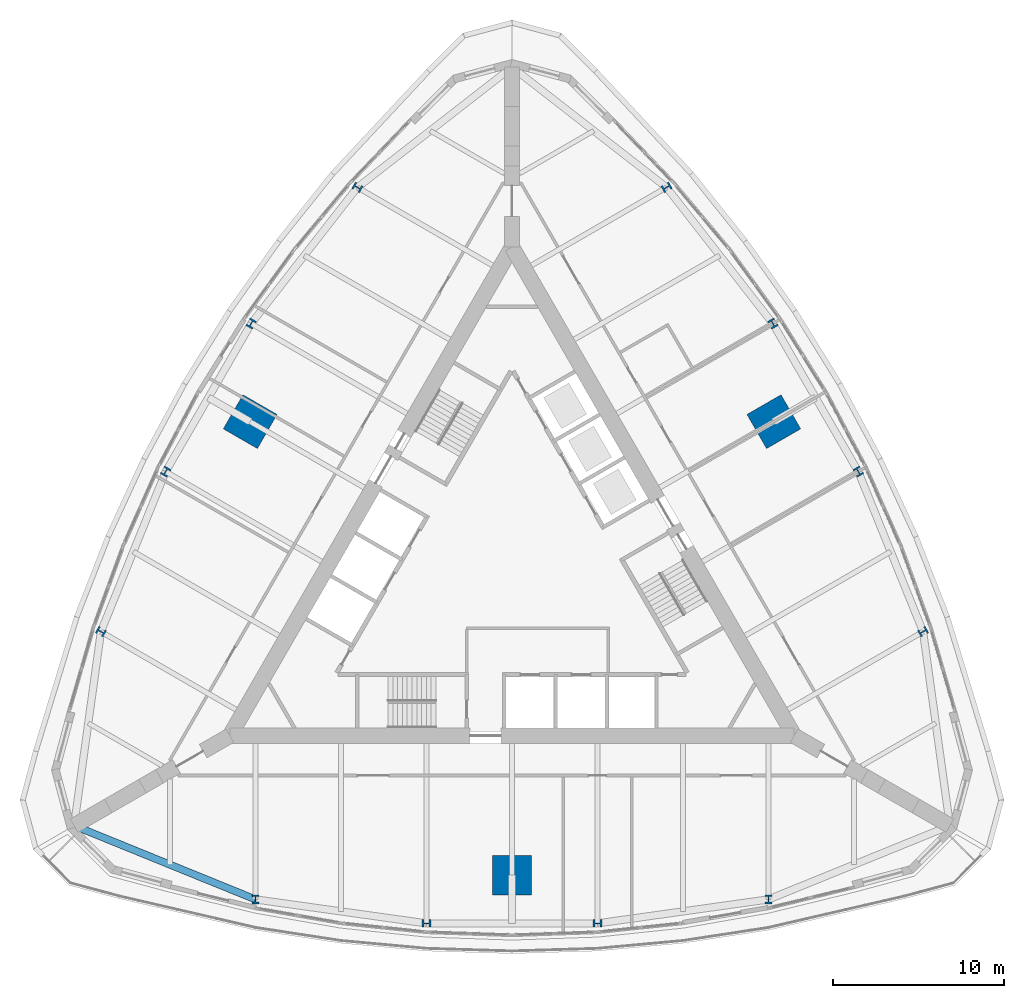
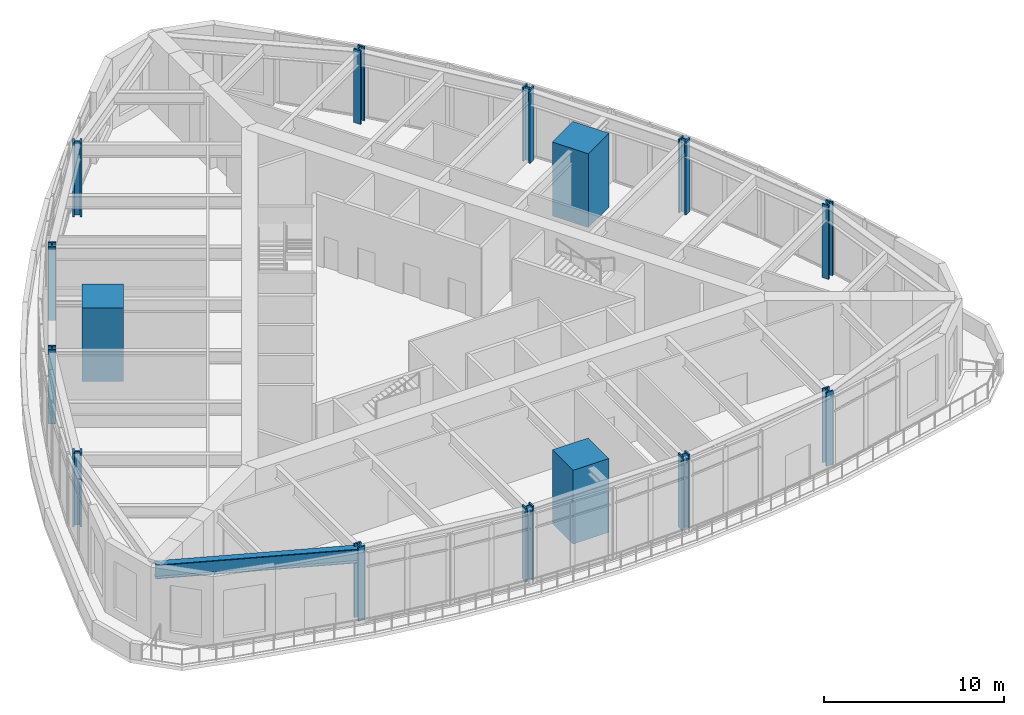
# One storey, part 1 of 14: 15 columns, 1 beam.
"""IFC4 building model written with IfcOpenShell, lengths in metres."""

from ifc_helpers import new_model, si_unit, direction, frame, origin, origin_2d, place, context, subcontext, project, spatial, rectangle, i_section, extrude, material, material_profile, profile_set, type_object, element, save


model = new_model("IFC4")

# Units and contexts
model_context = context("Model", 3, precision=1e-05, world=origin(), true_north=direction((0.0, 1.0)))
body_context = subcontext(model_context, "Body", "Model", "MODEL_VIEW")
ifc_project = project(units=[si_unit("LENGTHUNIT", "METRE"), si_unit("AREAUNIT", "SQUARE_METRE"), si_unit("VOLUMEUNIT", "CUBIC_METRE"), si_unit("PLANEANGLEUNIT", "RADIAN"), si_unit("MASSUNIT", "GRAM", prefix="KILO")], contexts=[model_context])

# Site, building, storey
site_placement = place(None, origin())
site = spatial("IfcSite", under=ifc_project, at=site_placement, CompositionType="ELEMENT")
building_placement = place(site_placement, origin())
building = spatial("IfcBuilding", under=site, at=building_placement, Name="Trikona Tower", CompositionType="ELEMENT")
storey_placement = place(building_placement, frame((0.0, 0.0, 109.699951171875)))
storey = spatial("IfcBuildingStorey", under=building, at=storey_placement, Name="L28", CompositionType="ELEMENT", Elevation=109.699951171875)

# Columns
ifc_material_1 = material(Name="Concrete f'c 10000 psi with encased steel section", Category="concrete")
ifc_material_profile_1 = material_profile(ifc_material_1, rectangle(XDim=2.300048828125, YDim=2.300048828125, at=origin_2d()), Name="MC2300")
ifc_profile_set_1 = profile_set([ifc_material_profile_1], Name="Concrete f'c 10000 psi with encased steel section")
column_type_1 = type_object("IfcColumnType", Name="Composite mega column 2300x2300", PredefinedType="COLUMN", material=ifc_profile_set_1)
for number, where, z_axis, x_axis, name in (
    (1, (0.0, -17.680419921875, 0.0), (0.0, 0.0, 1.0), (0.0, -1.0, 0.0), "Mega column MC1"),
    (2, (15.311767578125, 8.84033203125, 0.0), (0.0, 0.0, 1.0), (0.866025403784, 0.5, 0.0), "Mega column MC2"),
    (3, (-15.311767578125, 8.84033203125, 0.0), (0.0, 0.0, 1.0), (-0.866025403784, 0.5, 0.0), "Mega column MC3"),
):
    element("IfcColumn", number, at=place(storey_placement, frame(where, z_axis=z_axis, x_axis=x_axis)), inside=storey, type_object=column_type_1, Name=name, PredefinedType="COLUMN", context=body_context, shape_type="SweptSolid", body=[
        extrude(rectangle(XDim=2.300048828125, YDim=2.300048828125, at=origin_2d()), origin(), (0.0, 0.0, 1.0), 5.0),
    ])
ifc_material_2 = material(Name="Steel ASTM A992 Grade 50", Category="steel")
ifc_material_profile_2 = material_profile(ifc_material_2, i_section(OverallWidth=0.436767578125, OverallDepth=0.51318359375, WebThickness=0.060546875, FlangeThickness=0.096923828125, at=origin_2d()), Name="W14X550")
ifc_profile_set_2 = profile_set([ifc_material_profile_2], Name="Steel ASTM A992 Grade 50")
column_type_2 = type_object("IfcColumnType", Name="Steel column W14x550", PredefinedType="COLUMN", material=ifc_profile_set_2)
for number, where, z_axis, x_axis, name in (
    (4, (-15.0, -19.10009765625, 0.0), (0.0, 0.0, 1.0), (1.0, 0.0, 0.0), "Column F0m15"),
    (5, (-5.0, -20.500244140625, 0.0), (0.0, 0.0, 1.0), (0.0, -1.0, 0.0), "Column F0m5"),
    (6, (5.0, -20.500244140625, 0.0), (0.0, 0.0, 1.0), (0.0, -1.0, 0.0), "Column F0p5"),
    (7, (15.0, -19.10009765625, 0.0), (0.0, 0.0, 1.0), (1.0, 0.0, 0.0), "Column F0p15"),
    (8, (24.041259765625, -3.440185546875, 0.0), (0.0, 0.0, 1.0), (-0.5, 0.866025403784, 0.0), "Column F1m15"),
    (9, (20.253662109375, 5.919921875, 0.0), (0.0, 0.0, 1.0), (0.866025403784, 0.5, 0.0), "Column F1m5"),
    (10, (15.253662109375, 14.580078125, 0.0), (0.0, 0.0, 1.0), (0.866025403784, 0.5, 0.0), "Column F1p5"),
    (11, (9.041259765625, 22.54052734375, 0.0), (0.0, 0.0, 1.0), (-0.5, 0.866025403784, 0.0), "Column F1p15"),
    (12, (-9.041259765625, 22.54052734375, 0.0), (0.0, 0.0, 1.0), (-0.5, -0.866025403784, 0.0), "Column F2m15"),
    (13, (-15.253662109375, 14.580078125, 0.0), (0.0, 0.0, 1.0), (-0.866025403784, 0.5, 0.0), "Column F2m5"),
    (14, (-20.253662109375, 5.919921875, 0.0), (0.0, 0.0, 1.0), (-0.866025403784, 0.5, 0.0), "Column F2p5"),
    (15, (-24.041259765625, -3.440185546875, 0.0), (0.0, 0.0, 1.0), (-0.5, -0.866025403784, 0.0), "Column F2p15"),
):
    element("IfcColumn", number, at=place(storey_placement, frame(where, z_axis=z_axis, x_axis=x_axis)), inside=storey, type_object=column_type_2, Name=name, PredefinedType="COLUMN", context=body_context, shape_type="SweptSolid", body=[
        extrude(i_section(OverallWidth=0.436767578125, OverallDepth=0.51318359375, WebThickness=0.060546875, FlangeThickness=0.096923828125, at=origin_2d()), origin(), (0.0, 0.0, 1.0), 5.0),
    ])

# Beam
ifc_material_3 = material(Name="Steel ASTM A992 Grade 50", Category="steel")
ifc_material_profile_3 = material_profile(ifc_material_3, i_section(OverallWidth=0.424072265625, OverallDepth=0.947509765625, WebThickness=0.02392578125, FlangeThickness=0.042724609375, at=origin_2d()), Name="W36X302")
ifc_profile_set_3 = profile_set([ifc_material_profile_3], Name="Steel ASTM A992 Grade 50")
beam_type = type_object("IfcBeamType", Name="Steel beam W36x302 (spandrel)", PredefinedType="SPANDREL", material=ifc_profile_set_3)
beam_placement = place(storey_placement, frame((-25.6103515625, -14.7861328125, 4.361328125), z_axis=(0.926359695662, -0.376640032728, 0.0), x_axis=(0.376640032728, 0.926359695662, 0.0)))
element("IfcBeam", 16, at=beam_placement, inside=storey, type_object=beam_type, Name="Spandrel beam L29 F1-1", PredefinedType="SPANDREL", context=body_context, shape_type="SweptSolid", body=[
    extrude(i_section(OverallWidth=0.424072265625, OverallDepth=0.947509765625, WebThickness=0.02392578125, FlangeThickness=0.042724609375, at=origin_2d()), origin(), (0.0, 0.0, 1.0), 11.453857421875),
])

save(model, "model.ifc")
